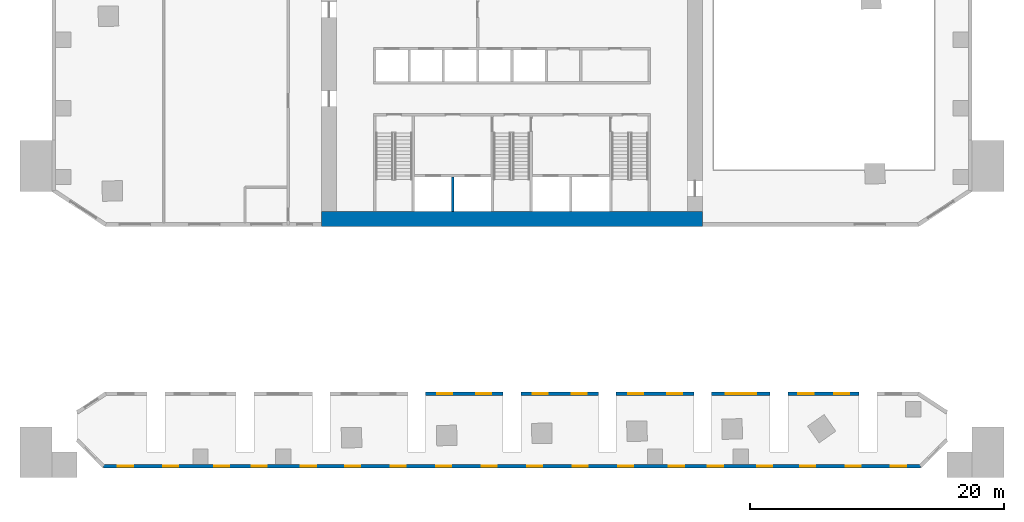
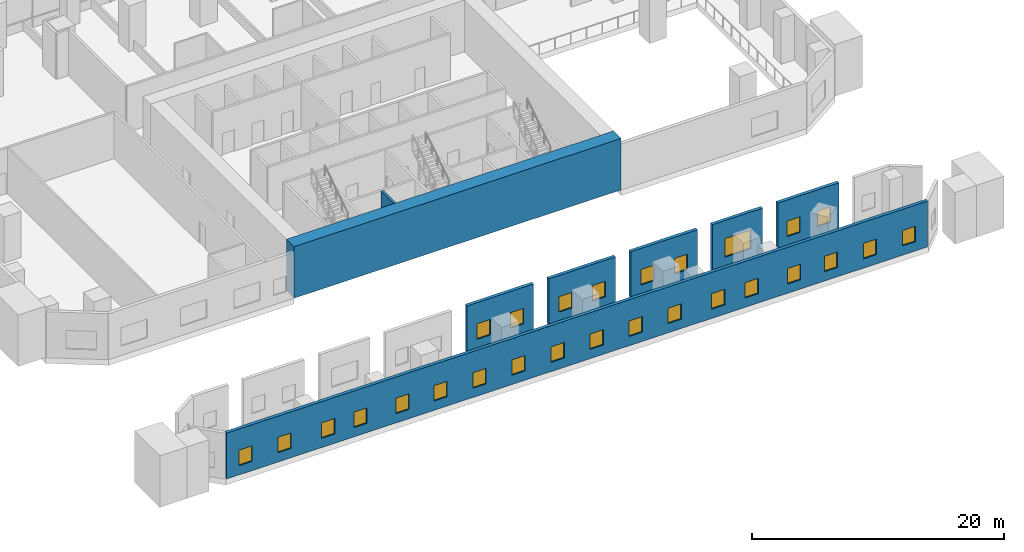
# One storey, part 6 of 11: 27 windows, 8 walls, 27 openings.
"""IFC4 building model written with IfcOpenShell, lengths in metres."""

from ifc_helpers import new_model, si_unit, direction, frame, frame_2d, origin, place, context, subcontext, project, spatial, rectangle, extrude, material, layer, layer_set, type_object, element, fill, save


model = new_model("IFC4")

# Units and contexts
model_context = context("Model", 3, precision=1e-05, world=origin(), true_north=direction((0.0, 1.0)))
body_context = subcontext(model_context, "Body", "Model", "MODEL_VIEW")
ifc_project = project(units=[si_unit("LENGTHUNIT", "METRE"), si_unit("AREAUNIT", "SQUARE_METRE"), si_unit("VOLUMEUNIT", "CUBIC_METRE"), si_unit("PLANEANGLEUNIT", "RADIAN"), si_unit("MASSUNIT", "GRAM", prefix="KILO")], contexts=[model_context])

# Site, building, storey
site_placement = place(None, origin())
site = spatial("IfcSite", under=ifc_project, at=site_placement, CompositionType="ELEMENT")
building_placement = place(site_placement, origin())
building = spatial("IfcBuilding", under=site, at=building_placement, Name="Mangrove Gate Tower", CompositionType="ELEMENT")
storey_placement = place(building_placement, frame((0.0, 0.0, 6.0)))
storey = spatial("IfcBuildingStorey", under=building, at=storey_placement, Name="L01", CompositionType="ELEMENT", Elevation=6.0)

# Walls
ifc_material_1 = material(Name="Concrete C70/85", Category="concrete")
ifc_layer_1 = layer(ifc_material_1, 0.199951171875)
ifc_layer_set_1 = layer_set([ifc_layer_1], Name="Core shaft wall 200 C70/85")
wall_type_1 = type_object("IfcWallType", Name="Core shaft wall 200 C70/85", PredefinedType="SHEAR", material=ifc_layer_set_1)
wall_1_placement = place(storey_placement, frame((-4.64990234375, -10.800048828125, 0.0), z_axis=(0.0, 0.0, 1.0), x_axis=(0.0, 1.0, 0.0)))
element("IfcWall", 1, at=wall_1_placement, inside=storey, type_object=wall_type_1, Name="WALL-L01-CORE-16", PredefinedType="SHEAR", context=body_context, shape_type="SweptSolid", body=[
    extrude(rectangle(XDim=2.699951171875, YDim=0.199951171875, at=frame_2d((1.35009765625, 0.0))), origin(), (0.0, 0.0, 1.0), 4.449951171875),
])
ifc_material_2 = material(Name="Concrete C70/85", Category="concrete")
ifc_layer_2 = layer(ifc_material_2, 1.199951171875)
ifc_layer_set_2 = layer_set([ifc_layer_2], Name="Core wall 1200 C70/85")
wall_type_2 = type_object("IfcWallType", Name="Core wall 1200 C70/85", PredefinedType="SHEAR", material=ifc_layer_set_2)
wall_2_placement = place(storey_placement, frame((-15.0, -11.39990234375, 0.0), z_axis=(0.0, 0.0, 1.0), x_axis=(1.0, 0.0, 0.0)))
element("IfcWall", 2, at=wall_2_placement, inside=storey, type_object=wall_type_2, Name="WALL-L01-CORE-1", PredefinedType="SHEAR", context=body_context, shape_type="SweptSolid", body=[
    extrude(rectangle(XDim=30.0, YDim=1.199951171875, at=frame_2d((15.0, 0.0))), origin(), (0.0, 0.0, 1.0), 5.0),
])

# Wall, openings, windows
ifc_material_3 = material(Name="Limestone", Category="masonry")
ifc_layer_3 = layer(ifc_material_3, 0.0400390625, Name="Limestone cladding")
ifc_material_4 = material(Name="Ventilated air gap")
ifc_layer_4 = layer(ifc_material_4, 0.0400390625, Name="Ventilated cavity")
ifc_material_5 = material(Name="Mineral wool insulation")
ifc_layer_5 = layer(ifc_material_5, 0.06005859375, Name="Insulation")
ifc_material_6 = material(Name="Breather membrane")
ifc_layer_6 = layer(ifc_material_6, 0.001953125, Name="Breather membrane")
ifc_material_7 = material(Name="Concrete C20/25 blockwork", Category="masonry")
ifc_layer_7 = layer(ifc_material_7, 0.14990234375, Name="Blockwork backing wall")
ifc_material_8 = material(Name="Gypsum plaster")
ifc_layer_8 = layer(ifc_material_8, 0.008056640625, Name="Internal plaster")
ifc_layer_set_3 = layer_set([ifc_layer_3, ifc_layer_4, ifc_layer_5, ifc_layer_6, ifc_layer_7, ifc_layer_8], Name="External wall 300 limestone cladding")
wall_type_3 = type_object("IfcWallType", Name="External wall 300 limestone cladding", PredefinedType="SOLIDWALL", material=ifc_layer_set_3)
wall_3_placement = place(storey_placement, frame((27.300048828125, -25.14990234375, 0.0), z_axis=(0.0, 0.0, 1.0), x_axis=(-1.0, 0.0, 0.0)))
wall_3 = element("IfcWall", 3, at=wall_3_placement, inside=storey, type_object=wall_type_3, Name="WALL-L01-N4011", PredefinedType="SOLIDWALL", context=body_context, shape_type="SweptSolid", body=[
    extrude(rectangle(XDim=5.60009765625, YDim=0.300048828125, at=frame_2d((2.800048828125, 0.0))), origin(), (0.0, 0.0, 1.0), 4.449951171875),
])
opening_1_placement = place(wall_3_placement, frame((0.763916015625, 0.0, 0.89990234375)))
opening_1 = element("IfcOpeningElement", 4, at=opening_1_placement, cuts=wall_3, Name="Opening W1", PredefinedType="OPENING", context=body_context, shape_type="SweptSolid", body=[
    extrude(rectangle(XDim=1.199951171875, YDim=1.5, at=frame_2d((0.60009765625, 0.75))), frame((0.0, 0.159912109375, 0.0), z_axis=(0.0, -1.0, 0.0), x_axis=(1.0, 0.0, 0.0)), (0.0, 0.0, 1.0), 0.320068359375),
])
opening_2_placement = place(wall_3_placement, frame((3.568115234375, 0.0, 0.89990234375)))
opening_2 = element("IfcOpeningElement", 5, at=opening_2_placement, cuts=wall_3, Name="Opening W1", PredefinedType="OPENING", context=body_context, shape_type="SweptSolid", body=[
    extrude(rectangle(XDim=1.199951171875, YDim=1.5, at=frame_2d((0.60009765625, 0.75))), frame((0.0, 0.159912109375, 0.0), z_axis=(0.0, -1.0, 0.0), x_axis=(1.0, 0.0, 0.0)), (0.0, 0.0, 1.0), 0.320068359375),
])
ifc_material_9 = material(Name="Aluminium frame with double-glazed low-e glass", Category="aluminium")
window_type_1 = type_object("IfcWindowType", Name="Side lite 1200x1500", PartitioningType="SINGLE_PANEL", PredefinedType="WINDOW", material=ifc_material_9)
window_1_placement = place(opening_1_placement, origin())
window_1 = element("IfcWindow", 6, at=window_1_placement, inside=storey, type_object=window_type_1, Name="WIN-L01-N4011-1", OverallHeight=1.5, OverallWidth=1.199951171875, PartitioningType="SINGLE_PANEL", PredefinedType="WINDOW", context=body_context, shape_type="SweptSolid", body=[
    extrude(rectangle(XDim=1.199951171875, YDim=1.5, at=frame_2d((0.60009765625, 0.75))), frame((0.0, 0.030029296875, 0.0), z_axis=(0.0, -1.0, 0.0), x_axis=(1.0, 0.0, 0.0)), (0.0, 0.0, 1.0), 0.06005859375),
])
fill(opening_1, window_1)
window_2_placement = place(opening_2_placement, origin())
window_2 = element("IfcWindow", 7, at=window_2_placement, inside=storey, type_object=window_type_1, Name="WIN-L01-N4011-2", OverallHeight=1.5, OverallWidth=1.199951171875, PartitioningType="SINGLE_PANEL", PredefinedType="WINDOW", context=body_context, shape_type="SweptSolid", body=[
    extrude(rectangle(XDim=1.199951171875, YDim=1.5, at=frame_2d((0.60009765625, 0.75))), frame((0.0, 0.030029296875, 0.0), z_axis=(0.0, -1.0, 0.0), x_axis=(1.0, 0.0, 0.0)), (0.0, 0.0, 1.0), 0.06005859375),
])
fill(opening_2, window_2)

# Wall, opening, window
wall_4_placement = place(storey_placement, frame((20.300048828125, -25.14990234375, 0.0), z_axis=(0.0, 0.0, 1.0), x_axis=(-1.0, 0.0, 0.0)))
wall_4 = element("IfcWall", 8, at=wall_4_placement, inside=storey, type_object=wall_type_3, Name="WALL-L01-N4012", PredefinedType="SOLIDWALL", context=body_context, shape_type="SweptSolid", body=[
    extrude(rectangle(XDim=4.60009765625, YDim=0.300048828125, at=frame_2d((2.300048828125, 0.0))), origin(), (0.0, 0.0, 1.0), 4.449951171875),
])
opening_3_placement = place(wall_4_placement, frame((1.074951171875, 0.0, 0.89990234375)))
opening_3 = element("IfcOpeningElement", 9, at=opening_3_placement, cuts=wall_4, Name="Opening W3", PredefinedType="OPENING", context=body_context, shape_type="SweptSolid", body=[
    extrude(rectangle(XDim=2.39990234375, YDim=1.800048828125, at=frame_2d((1.199951171875, 0.89990234375))), frame((0.0, 0.159912109375, 0.0), z_axis=(0.0, -1.0, 0.0), x_axis=(1.0, 0.0, 0.0)), (0.0, 0.0, 1.0), 0.320068359375),
])
ifc_material_10 = material(Name="Aluminium frame with double-glazed low-e glass", Category="aluminium")
window_type_2 = type_object("IfcWindowType", Name="Podium window 2400x1800", PartitioningType="DOUBLE_PANEL_VERTICAL", PredefinedType="WINDOW", material=ifc_material_10)
window_3_placement = place(opening_3_placement, origin())
window_3 = element("IfcWindow", 10, at=window_3_placement, inside=storey, type_object=window_type_2, Name="WIN-L01-N4012-1", OverallHeight=1.800048828125, OverallWidth=2.39990234375, PartitioningType="DOUBLE_PANEL_VERTICAL", PredefinedType="WINDOW", context=body_context, shape_type="SweptSolid", body=[
    extrude(rectangle(XDim=2.39990234375, YDim=1.800048828125, at=frame_2d((1.199951171875, 0.89990234375))), frame((0.0, 0.030029296875, 0.0), z_axis=(0.0, -1.0, 0.0), x_axis=(1.0, 0.0, 0.0)), (0.0, 0.0, 1.0), 0.06005859375),
])
fill(opening_3, window_3)

# Wall, openings, windows
wall_5_placement = place(storey_placement, frame((14.300048828125, -25.14990234375, 0.0), z_axis=(0.0, 0.0, 1.0), x_axis=(-1.0, 0.0, 0.0)))
wall_5 = element("IfcWall", 11, at=wall_5_placement, inside=storey, type_object=wall_type_3, Name="WALL-L01-N4013", PredefinedType="SOLIDWALL", context=body_context, shape_type="SweptSolid", body=[
    extrude(rectangle(XDim=6.10009765625, YDim=0.300048828125, at=frame_2d((3.050048828125, 0.0))), origin(), (0.0, 0.0, 1.0), 4.449951171875),
])
opening_4_placement = place(wall_5_placement, frame((0.906982421875, 0.0, 0.89990234375)))
opening_4 = element("IfcOpeningElement", 12, at=opening_4_placement, cuts=wall_5, Name="Opening W1", PredefinedType="OPENING", context=body_context, shape_type="SweptSolid", body=[
    extrude(rectangle(XDim=1.199951171875, YDim=1.5, at=frame_2d((0.60009765625, 0.75))), frame((0.0, 0.159912109375, 0.0), z_axis=(0.0, -1.0, 0.0), x_axis=(1.0, 0.0, 0.0)), (0.0, 0.0, 1.0), 0.320068359375),
])
opening_5_placement = place(wall_5_placement, frame((3.9609375, 0.0, 0.89990234375)))
opening_5 = element("IfcOpeningElement", 13, at=opening_5_placement, cuts=wall_5, Name="Opening W1", PredefinedType="OPENING", context=body_context, shape_type="SweptSolid", body=[
    extrude(rectangle(XDim=1.199951171875, YDim=1.5, at=frame_2d((0.60009765625, 0.75))), frame((0.0, 0.159912109375, 0.0), z_axis=(0.0, -1.0, 0.0), x_axis=(1.0, 0.0, 0.0)), (0.0, 0.0, 1.0), 0.320068359375),
])
window_4_placement = place(opening_4_placement, origin())
window_4 = element("IfcWindow", 14, at=window_4_placement, inside=storey, type_object=window_type_1, Name="WIN-L01-N4013-1", OverallHeight=1.5, OverallWidth=1.199951171875, PartitioningType="SINGLE_PANEL", PredefinedType="WINDOW", context=body_context, shape_type="SweptSolid", body=[
    extrude(rectangle(XDim=1.199951171875, YDim=1.5, at=frame_2d((0.60009765625, 0.75))), frame((0.0, 0.030029296875, 0.0), z_axis=(0.0, -1.0, 0.0), x_axis=(1.0, 0.0, 0.0)), (0.0, 0.0, 1.0), 0.06005859375),
])
fill(opening_4, window_4)
window_5_placement = place(opening_5_placement, origin())
window_5 = element("IfcWindow", 15, at=window_5_placement, inside=storey, type_object=window_type_1, Name="WIN-L01-N4013-2", OverallHeight=1.5, OverallWidth=1.199951171875, PartitioningType="SINGLE_PANEL", PredefinedType="WINDOW", context=body_context, shape_type="SweptSolid", body=[
    extrude(rectangle(XDim=1.199951171875, YDim=1.5, at=frame_2d((0.60009765625, 0.75))), frame((0.0, 0.030029296875, 0.0), z_axis=(0.0, -1.0, 0.0), x_axis=(1.0, 0.0, 0.0)), (0.0, 0.0, 1.0), 0.06005859375),
])
fill(opening_5, window_5)

wall_6_placement = place(storey_placement, frame((6.800048828125, -25.14990234375, 0.0), z_axis=(0.0, 0.0, 1.0), x_axis=(-1.0, 0.0, 0.0)))
wall_6 = element("IfcWall", 16, at=wall_6_placement, inside=storey, type_object=wall_type_3, Name="WALL-L01-N4014", PredefinedType="SOLIDWALL", context=body_context, shape_type="SweptSolid", body=[
    extrude(rectangle(XDim=6.10009765625, YDim=0.300048828125, at=frame_2d((3.050048828125, 0.0))), origin(), (0.0, 0.0, 1.0), 4.449951171875),
])
opening_6_placement = place(wall_6_placement, frame((0.91796875, 0.0, 0.89990234375)))
opening_6 = element("IfcOpeningElement", 17, at=opening_6_placement, cuts=wall_6, Name="Opening W1", PredefinedType="OPENING", context=body_context, shape_type="SweptSolid", body=[
    extrude(rectangle(XDim=1.199951171875, YDim=1.5, at=frame_2d((0.60009765625, 0.75))), frame((0.0, 0.159912109375, 0.0), z_axis=(0.0, -1.0, 0.0), x_axis=(1.0, 0.0, 0.0)), (0.0, 0.0, 1.0), 0.320068359375),
])
opening_7_placement = place(wall_6_placement, frame((3.971923828125, 0.0, 0.89990234375)))
opening_7 = element("IfcOpeningElement", 18, at=opening_7_placement, cuts=wall_6, Name="Opening W1", PredefinedType="OPENING", context=body_context, shape_type="SweptSolid", body=[
    extrude(rectangle(XDim=1.199951171875, YDim=1.5, at=frame_2d((0.60009765625, 0.75))), frame((0.0, 0.159912109375, 0.0), z_axis=(0.0, -1.0, 0.0), x_axis=(1.0, 0.0, 0.0)), (0.0, 0.0, 1.0), 0.320068359375),
])
window_6_placement = place(opening_6_placement, origin())
window_6 = element("IfcWindow", 19, at=window_6_placement, inside=storey, type_object=window_type_1, Name="WIN-L01-N4014-1", OverallHeight=1.5, OverallWidth=1.199951171875, PartitioningType="SINGLE_PANEL", PredefinedType="WINDOW", context=body_context, shape_type="SweptSolid", body=[
    extrude(rectangle(XDim=1.199951171875, YDim=1.5, at=frame_2d((0.60009765625, 0.75))), frame((0.0, 0.030029296875, 0.0), z_axis=(0.0, -1.0, 0.0), x_axis=(1.0, 0.0, 0.0)), (0.0, 0.0, 1.0), 0.06005859375),
])
fill(opening_6, window_6)
window_7_placement = place(opening_7_placement, origin())
window_7 = element("IfcWindow", 20, at=window_7_placement, inside=storey, type_object=window_type_1, Name="WIN-L01-N4014-2", OverallHeight=1.5, OverallWidth=1.199951171875, PartitioningType="SINGLE_PANEL", PredefinedType="WINDOW", context=body_context, shape_type="SweptSolid", body=[
    extrude(rectangle(XDim=1.199951171875, YDim=1.5, at=frame_2d((0.60009765625, 0.75))), frame((0.0, 0.030029296875, 0.0), z_axis=(0.0, -1.0, 0.0), x_axis=(1.0, 0.0, 0.0)), (0.0, 0.0, 1.0), 0.06005859375),
])
fill(opening_7, window_7)

wall_7_placement = place(storey_placement, frame((-0.699951171875, -25.14990234375, 0.0), z_axis=(0.0, 0.0, 1.0), x_axis=(-1.0, 0.0, 0.0)))
wall_7 = element("IfcWall", 21, at=wall_7_placement, inside=storey, type_object=wall_type_3, Name="WALL-L01-N4015", PredefinedType="SOLIDWALL", context=body_context, shape_type="SweptSolid", body=[
    extrude(rectangle(XDim=6.10009765625, YDim=0.300048828125, at=frame_2d((3.050048828125, 0.0))), origin(), (0.0, 0.0, 1.0), 4.449951171875),
])
opening_8_placement = place(wall_7_placement, frame((0.927978515625, 0.0, 0.89990234375)))
opening_8 = element("IfcOpeningElement", 22, at=opening_8_placement, cuts=wall_7, Name="Opening W1", PredefinedType="OPENING", context=body_context, shape_type="SweptSolid", body=[
    extrude(rectangle(XDim=1.199951171875, YDim=1.5, at=frame_2d((0.60009765625, 0.75))), frame((0.0, 0.159912109375, 0.0), z_axis=(0.0, -1.0, 0.0), x_axis=(1.0, 0.0, 0.0)), (0.0, 0.0, 1.0), 0.320068359375),
])
opening_9_placement = place(wall_7_placement, frame((3.98193359375, 0.0, 0.89990234375)))
opening_9 = element("IfcOpeningElement", 23, at=opening_9_placement, cuts=wall_7, Name="Opening W1", PredefinedType="OPENING", context=body_context, shape_type="SweptSolid", body=[
    extrude(rectangle(XDim=1.199951171875, YDim=1.5, at=frame_2d((0.60009765625, 0.75))), frame((0.0, 0.159912109375, 0.0), z_axis=(0.0, -1.0, 0.0), x_axis=(1.0, 0.0, 0.0)), (0.0, 0.0, 1.0), 0.320068359375),
])
window_8_placement = place(opening_8_placement, origin())
window_8 = element("IfcWindow", 24, at=window_8_placement, inside=storey, type_object=window_type_1, Name="WIN-L01-N4015-1", OverallHeight=1.5, OverallWidth=1.199951171875, PartitioningType="SINGLE_PANEL", PredefinedType="WINDOW", context=body_context, shape_type="SweptSolid", body=[
    extrude(rectangle(XDim=1.199951171875, YDim=1.5, at=frame_2d((0.60009765625, 0.75))), frame((0.0, 0.030029296875, 0.0), z_axis=(0.0, -1.0, 0.0), x_axis=(1.0, 0.0, 0.0)), (0.0, 0.0, 1.0), 0.06005859375),
])
fill(opening_8, window_8)
window_9_placement = place(opening_9_placement, origin())
window_9 = element("IfcWindow", 25, at=window_9_placement, inside=storey, type_object=window_type_1, Name="WIN-L01-N4015-2", OverallHeight=1.5, OverallWidth=1.199951171875, PartitioningType="SINGLE_PANEL", PredefinedType="WINDOW", context=body_context, shape_type="SweptSolid", body=[
    extrude(rectangle(XDim=1.199951171875, YDim=1.5, at=frame_2d((0.60009765625, 0.75))), frame((0.0, 0.030029296875, 0.0), z_axis=(0.0, -1.0, 0.0), x_axis=(1.0, 0.0, 0.0)), (0.0, 0.0, 1.0), 0.06005859375),
])
fill(opening_9, window_9)

wall_8_placement = place(storey_placement, frame((-32.137939453125, -30.85009765625, 0.0), z_axis=(0.0, 0.0, 1.0), x_axis=(1.0, 0.0, 0.0)))
wall_8 = element("IfcWall", 26, at=wall_8_placement, inside=storey, type_object=wall_type_3, Name="WALL-L01-S4", PredefinedType="SOLIDWALL", context=body_context, shape_type="SweptSolid", body=[
    extrude(rectangle(XDim=64.27587890625, YDim=0.300048828125, at=frame_2d((32.137939453125, 0.0))), origin(), (0.0, 0.0, 1.0), 4.449951171875),
])
opening_10_placement = place(wall_8_placement, frame((1.126953125, 0.0, 0.89990234375)))
opening_10 = element("IfcOpeningElement", 27, at=opening_10_placement, cuts=wall_8, Name="Opening W1", PredefinedType="OPENING", context=body_context, shape_type="SweptSolid", body=[
    extrude(rectangle(XDim=1.199951171875, YDim=1.5, at=frame_2d((0.60009765625, 0.75))), frame((0.0, 0.159912109375, 0.0), z_axis=(0.0, -1.0, 0.0), x_axis=(1.0, 0.0, 0.0)), (0.0, 0.0, 1.0), 0.320068359375),
])
opening_11_placement = place(wall_8_placement, frame((4.705078125, 0.0, 0.89990234375)))
opening_11 = element("IfcOpeningElement", 28, at=opening_11_placement, cuts=wall_8, Name="Opening W1", PredefinedType="OPENING", context=body_context, shape_type="SweptSolid", body=[
    extrude(rectangle(XDim=1.199951171875, YDim=1.5, at=frame_2d((0.60009765625, 0.75))), frame((0.0, 0.159912109375, 0.0), z_axis=(0.0, -1.0, 0.0), x_axis=(1.0, 0.0, 0.0)), (0.0, 0.0, 1.0), 0.320068359375),
])
opening_12_placement = place(wall_8_placement, frame((8.705078125, 0.0, 0.89990234375)))
opening_12 = element("IfcOpeningElement", 29, at=opening_12_placement, cuts=wall_8, Name="Opening W1", PredefinedType="OPENING", context=body_context, shape_type="SweptSolid", body=[
    extrude(rectangle(XDim=1.199951171875, YDim=1.5, at=frame_2d((0.60009765625, 0.75))), frame((0.0, 0.159912109375, 0.0), z_axis=(0.0, -1.0, 0.0), x_axis=(1.0, 0.0, 0.0)), (0.0, 0.0, 1.0), 0.320068359375),
])
opening_13_placement = place(wall_8_placement, frame((11.655029296875, 0.0, 0.89990234375)))
opening_13 = element("IfcOpeningElement", 30, at=opening_13_placement, cuts=wall_8, Name="Opening W1", PredefinedType="OPENING", context=body_context, shape_type="SweptSolid", body=[
    extrude(rectangle(XDim=1.199951171875, YDim=1.5, at=frame_2d((0.60009765625, 0.75))), frame((0.0, 0.159912109375, 0.0), z_axis=(0.0, -1.0, 0.0), x_axis=(1.0, 0.0, 0.0)), (0.0, 0.0, 1.0), 0.320068359375),
])
opening_14_placement = place(wall_8_placement, frame((15.531982421875, 0.0, 0.89990234375)))
opening_14 = element("IfcOpeningElement", 31, at=opening_14_placement, cuts=wall_8, Name="Opening W1", PredefinedType="OPENING", context=body_context, shape_type="SweptSolid", body=[
    extrude(rectangle(XDim=1.199951171875, YDim=1.5, at=frame_2d((0.60009765625, 0.75))), frame((0.0, 0.159912109375, 0.0), z_axis=(0.0, -1.0, 0.0), x_axis=(1.0, 0.0, 0.0)), (0.0, 0.0, 1.0), 0.320068359375),
])
opening_15_placement = place(wall_8_placement, frame((19.01611328125, 0.0, 0.89990234375)))
opening_15 = element("IfcOpeningElement", 32, at=opening_15_placement, cuts=wall_8, Name="Opening W1", PredefinedType="OPENING", context=body_context, shape_type="SweptSolid", body=[
    extrude(rectangle(XDim=1.199951171875, YDim=1.5, at=frame_2d((0.60009765625, 0.75))), frame((0.0, 0.159912109375, 0.0), z_axis=(0.0, -1.0, 0.0), x_axis=(1.0, 0.0, 0.0)), (0.0, 0.0, 1.0), 0.320068359375),
])
opening_16_placement = place(wall_8_placement, frame((22.593017578125, 0.0, 0.89990234375)))
opening_16 = element("IfcOpeningElement", 33, at=opening_16_placement, cuts=wall_8, Name="Opening W1", PredefinedType="OPENING", context=body_context, shape_type="SweptSolid", body=[
    extrude(rectangle(XDim=1.199951171875, YDim=1.5, at=frame_2d((0.60009765625, 0.75))), frame((0.0, 0.159912109375, 0.0), z_axis=(0.0, -1.0, 0.0), x_axis=(1.0, 0.0, 0.0)), (0.0, 0.0, 1.0), 0.320068359375),
])
opening_17_placement = place(wall_8_placement, frame((26.1708984375, 0.0, 0.89990234375)))
opening_17 = element("IfcOpeningElement", 34, at=opening_17_placement, cuts=wall_8, Name="Opening W1", PredefinedType="OPENING", context=body_context, shape_type="SweptSolid", body=[
    extrude(rectangle(XDim=1.199951171875, YDim=1.5, at=frame_2d((0.60009765625, 0.75))), frame((0.0, 0.159912109375, 0.0), z_axis=(0.0, -1.0, 0.0), x_axis=(1.0, 0.0, 0.0)), (0.0, 0.0, 1.0), 0.320068359375),
])
opening_18_placement = place(wall_8_placement, frame((29.7490234375, 0.0, 0.89990234375)))
opening_18 = element("IfcOpeningElement", 35, at=opening_18_placement, cuts=wall_8, Name="Opening W1", PredefinedType="OPENING", context=body_context, shape_type="SweptSolid", body=[
    extrude(rectangle(XDim=1.199951171875, YDim=1.5, at=frame_2d((0.60009765625, 0.75))), frame((0.0, 0.159912109375, 0.0), z_axis=(0.0, -1.0, 0.0), x_axis=(1.0, 0.0, 0.0)), (0.0, 0.0, 1.0), 0.320068359375),
])
opening_19_placement = place(wall_8_placement, frame((33.326904296875, 0.0, 0.89990234375)))
opening_19 = element("IfcOpeningElement", 36, at=opening_19_placement, cuts=wall_8, Name="Opening W1", PredefinedType="OPENING", context=body_context, shape_type="SweptSolid", body=[
    extrude(rectangle(XDim=1.199951171875, YDim=1.5, at=frame_2d((0.60009765625, 0.75))), frame((0.0, 0.159912109375, 0.0), z_axis=(0.0, -1.0, 0.0), x_axis=(1.0, 0.0, 0.0)), (0.0, 0.0, 1.0), 0.320068359375),
])
opening_20_placement = place(wall_8_placement, frame((36.905029296875, 0.0, 0.89990234375)))
opening_20 = element("IfcOpeningElement", 37, at=opening_20_placement, cuts=wall_8, Name="Opening W1", PredefinedType="OPENING", context=body_context, shape_type="SweptSolid", body=[
    extrude(rectangle(XDim=1.199951171875, YDim=1.5, at=frame_2d((0.60009765625, 0.75))), frame((0.0, 0.159912109375, 0.0), z_axis=(0.0, -1.0, 0.0), x_axis=(1.0, 0.0, 0.0)), (0.0, 0.0, 1.0), 0.320068359375),
])
opening_21_placement = place(wall_8_placement, frame((40.48193359375, 0.0, 0.89990234375)))
opening_21 = element("IfcOpeningElement", 38, at=opening_21_placement, cuts=wall_8, Name="Opening W1", PredefinedType="OPENING", context=body_context, shape_type="SweptSolid", body=[
    extrude(rectangle(XDim=1.199951171875, YDim=1.5, at=frame_2d((0.60009765625, 0.75))), frame((0.0, 0.159912109375, 0.0), z_axis=(0.0, -1.0, 0.0), x_axis=(1.0, 0.0, 0.0)), (0.0, 0.0, 1.0), 0.320068359375),
])
opening_22_placement = place(wall_8_placement, frame((44.468017578125, 0.0, 0.89990234375)))
opening_22 = element("IfcOpeningElement", 39, at=opening_22_placement, cuts=wall_8, Name="Opening W1", PredefinedType="OPENING", context=body_context, shape_type="SweptSolid", body=[
    extrude(rectangle(XDim=1.199951171875, YDim=1.5, at=frame_2d((0.60009765625, 0.75))), frame((0.0, 0.159912109375, 0.0), z_axis=(0.0, -1.0, 0.0), x_axis=(1.0, 0.0, 0.0)), (0.0, 0.0, 1.0), 0.320068359375),
])
opening_23_placement = place(wall_8_placement, frame((47.54296875, 0.0, 0.89990234375)))
opening_23 = element("IfcOpeningElement", 40, at=opening_23_placement, cuts=wall_8, Name="Opening W1", PredefinedType="OPENING", context=body_context, shape_type="SweptSolid", body=[
    extrude(rectangle(XDim=1.199951171875, YDim=1.5, at=frame_2d((0.60009765625, 0.75))), frame((0.0, 0.159912109375, 0.0), z_axis=(0.0, -1.0, 0.0), x_axis=(1.0, 0.0, 0.0)), (0.0, 0.0, 1.0), 0.320068359375),
])
opening_24_placement = place(wall_8_placement, frame((51.4208984375, 0.0, 0.89990234375)))
opening_24 = element("IfcOpeningElement", 41, at=opening_24_placement, cuts=wall_8, Name="Opening W1", PredefinedType="OPENING", context=body_context, shape_type="SweptSolid", body=[
    extrude(rectangle(XDim=1.199951171875, YDim=1.5, at=frame_2d((0.60009765625, 0.75))), frame((0.0, 0.159912109375, 0.0), z_axis=(0.0, -1.0, 0.0), x_axis=(1.0, 0.0, 0.0)), (0.0, 0.0, 1.0), 0.320068359375),
])
opening_25_placement = place(wall_8_placement, frame((54.79296875, 0.0, 0.89990234375)))
opening_25 = element("IfcOpeningElement", 42, at=opening_25_placement, cuts=wall_8, Name="Opening W1", PredefinedType="OPENING", context=body_context, shape_type="SweptSolid", body=[
    extrude(rectangle(XDim=1.199951171875, YDim=1.5, at=frame_2d((0.60009765625, 0.75))), frame((0.0, 0.159912109375, 0.0), z_axis=(0.0, -1.0, 0.0), x_axis=(1.0, 0.0, 0.0)), (0.0, 0.0, 1.0), 0.320068359375),
])
opening_26_placement = place(wall_8_placement, frame((58.37109375, 0.0, 0.89990234375)))
opening_26 = element("IfcOpeningElement", 43, at=opening_26_placement, cuts=wall_8, Name="Opening W1", PredefinedType="OPENING", context=body_context, shape_type="SweptSolid", body=[
    extrude(rectangle(XDim=1.199951171875, YDim=1.5, at=frame_2d((0.60009765625, 0.75))), frame((0.0, 0.159912109375, 0.0), z_axis=(0.0, -1.0, 0.0), x_axis=(1.0, 0.0, 0.0)), (0.0, 0.0, 1.0), 0.320068359375),
])
opening_27_placement = place(wall_8_placement, frame((61.948974609375, 0.0, 0.89990234375)))
opening_27 = element("IfcOpeningElement", 44, at=opening_27_placement, cuts=wall_8, Name="Opening W1", PredefinedType="OPENING", context=body_context, shape_type="SweptSolid", body=[
    extrude(rectangle(XDim=1.199951171875, YDim=1.5, at=frame_2d((0.60009765625, 0.75))), frame((0.0, 0.159912109375, 0.0), z_axis=(0.0, -1.0, 0.0), x_axis=(1.0, 0.0, 0.0)), (0.0, 0.0, 1.0), 0.320068359375),
])
window_10_placement = place(opening_10_placement, origin())
window_10 = element("IfcWindow", 45, at=window_10_placement, inside=storey, type_object=window_type_1, Name="WIN-L01-S4-1", OverallHeight=1.5, OverallWidth=1.199951171875, PartitioningType="SINGLE_PANEL", PredefinedType="WINDOW", context=body_context, shape_type="SweptSolid", body=[
    extrude(rectangle(XDim=1.199951171875, YDim=1.5, at=frame_2d((0.60009765625, 0.75))), frame((0.0, 0.030029296875, 0.0), z_axis=(0.0, -1.0, 0.0), x_axis=(1.0, 0.0, 0.0)), (0.0, 0.0, 1.0), 0.06005859375),
])
fill(opening_10, window_10)
window_11_placement = place(opening_11_placement, origin())
window_11 = element("IfcWindow", 46, at=window_11_placement, inside=storey, type_object=window_type_1, Name="WIN-L01-S4-2", OverallHeight=1.5, OverallWidth=1.199951171875, PartitioningType="SINGLE_PANEL", PredefinedType="WINDOW", context=body_context, shape_type="SweptSolid", body=[
    extrude(rectangle(XDim=1.199951171875, YDim=1.5, at=frame_2d((0.60009765625, 0.75))), frame((0.0, 0.030029296875, 0.0), z_axis=(0.0, -1.0, 0.0), x_axis=(1.0, 0.0, 0.0)), (0.0, 0.0, 1.0), 0.06005859375),
])
fill(opening_11, window_11)
window_12_placement = place(opening_12_placement, origin())
window_12 = element("IfcWindow", 47, at=window_12_placement, inside=storey, type_object=window_type_1, Name="WIN-L01-S4-3", OverallHeight=1.5, OverallWidth=1.199951171875, PartitioningType="SINGLE_PANEL", PredefinedType="WINDOW", context=body_context, shape_type="SweptSolid", body=[
    extrude(rectangle(XDim=1.199951171875, YDim=1.5, at=frame_2d((0.60009765625, 0.75))), frame((0.0, 0.030029296875, 0.0), z_axis=(0.0, -1.0, 0.0), x_axis=(1.0, 0.0, 0.0)), (0.0, 0.0, 1.0), 0.06005859375),
])
fill(opening_12, window_12)
window_13_placement = place(opening_13_placement, origin())
window_13 = element("IfcWindow", 48, at=window_13_placement, inside=storey, type_object=window_type_1, Name="WIN-L01-S4-4", OverallHeight=1.5, OverallWidth=1.199951171875, PartitioningType="SINGLE_PANEL", PredefinedType="WINDOW", context=body_context, shape_type="SweptSolid", body=[
    extrude(rectangle(XDim=1.199951171875, YDim=1.5, at=frame_2d((0.60009765625, 0.75))), frame((0.0, 0.030029296875, 0.0), z_axis=(0.0, -1.0, 0.0), x_axis=(1.0, 0.0, 0.0)), (0.0, 0.0, 1.0), 0.06005859375),
])
fill(opening_13, window_13)
window_14_placement = place(opening_14_placement, origin())
window_14 = element("IfcWindow", 49, at=window_14_placement, inside=storey, type_object=window_type_1, Name="WIN-L01-S4-5", OverallHeight=1.5, OverallWidth=1.199951171875, PartitioningType="SINGLE_PANEL", PredefinedType="WINDOW", context=body_context, shape_type="SweptSolid", body=[
    extrude(rectangle(XDim=1.199951171875, YDim=1.5, at=frame_2d((0.60009765625, 0.75))), frame((0.0, 0.030029296875, 0.0), z_axis=(0.0, -1.0, 0.0), x_axis=(1.0, 0.0, 0.0)), (0.0, 0.0, 1.0), 0.06005859375),
])
fill(opening_14, window_14)
window_15_placement = place(opening_15_placement, origin())
window_15 = element("IfcWindow", 50, at=window_15_placement, inside=storey, type_object=window_type_1, Name="WIN-L01-S4-6", OverallHeight=1.5, OverallWidth=1.199951171875, PartitioningType="SINGLE_PANEL", PredefinedType="WINDOW", context=body_context, shape_type="SweptSolid", body=[
    extrude(rectangle(XDim=1.199951171875, YDim=1.5, at=frame_2d((0.60009765625, 0.75))), frame((0.0, 0.030029296875, 0.0), z_axis=(0.0, -1.0, 0.0), x_axis=(1.0, 0.0, 0.0)), (0.0, 0.0, 1.0), 0.06005859375),
])
fill(opening_15, window_15)
window_16_placement = place(opening_16_placement, origin())
window_16 = element("IfcWindow", 51, at=window_16_placement, inside=storey, type_object=window_type_1, Name="WIN-L01-S4-7", OverallHeight=1.5, OverallWidth=1.199951171875, PartitioningType="SINGLE_PANEL", PredefinedType="WINDOW", context=body_context, shape_type="SweptSolid", body=[
    extrude(rectangle(XDim=1.199951171875, YDim=1.5, at=frame_2d((0.60009765625, 0.75))), frame((0.0, 0.030029296875, 0.0), z_axis=(0.0, -1.0, 0.0), x_axis=(1.0, 0.0, 0.0)), (0.0, 0.0, 1.0), 0.06005859375),
])
fill(opening_16, window_16)
window_17_placement = place(opening_17_placement, origin())
window_17 = element("IfcWindow", 52, at=window_17_placement, inside=storey, type_object=window_type_1, Name="WIN-L01-S4-8", OverallHeight=1.5, OverallWidth=1.199951171875, PartitioningType="SINGLE_PANEL", PredefinedType="WINDOW", context=body_context, shape_type="SweptSolid", body=[
    extrude(rectangle(XDim=1.199951171875, YDim=1.5, at=frame_2d((0.60009765625, 0.75))), frame((0.0, 0.030029296875, 0.0), z_axis=(0.0, -1.0, 0.0), x_axis=(1.0, 0.0, 0.0)), (0.0, 0.0, 1.0), 0.06005859375),
])
fill(opening_17, window_17)
window_18_placement = place(opening_18_placement, origin())
window_18 = element("IfcWindow", 53, at=window_18_placement, inside=storey, type_object=window_type_1, Name="WIN-L01-S4-9", OverallHeight=1.5, OverallWidth=1.199951171875, PartitioningType="SINGLE_PANEL", PredefinedType="WINDOW", context=body_context, shape_type="SweptSolid", body=[
    extrude(rectangle(XDim=1.199951171875, YDim=1.5, at=frame_2d((0.60009765625, 0.75))), frame((0.0, 0.030029296875, 0.0), z_axis=(0.0, -1.0, 0.0), x_axis=(1.0, 0.0, 0.0)), (0.0, 0.0, 1.0), 0.06005859375),
])
fill(opening_18, window_18)
window_19_placement = place(opening_19_placement, origin())
window_19 = element("IfcWindow", 54, at=window_19_placement, inside=storey, type_object=window_type_1, Name="WIN-L01-S4-10", OverallHeight=1.5, OverallWidth=1.199951171875, PartitioningType="SINGLE_PANEL", PredefinedType="WINDOW", context=body_context, shape_type="SweptSolid", body=[
    extrude(rectangle(XDim=1.199951171875, YDim=1.5, at=frame_2d((0.60009765625, 0.75))), frame((0.0, 0.030029296875, 0.0), z_axis=(0.0, -1.0, 0.0), x_axis=(1.0, 0.0, 0.0)), (0.0, 0.0, 1.0), 0.06005859375),
])
fill(opening_19, window_19)
window_20_placement = place(opening_20_placement, origin())
window_20 = element("IfcWindow", 55, at=window_20_placement, inside=storey, type_object=window_type_1, Name="WIN-L01-S4-11", OverallHeight=1.5, OverallWidth=1.199951171875, PartitioningType="SINGLE_PANEL", PredefinedType="WINDOW", context=body_context, shape_type="SweptSolid", body=[
    extrude(rectangle(XDim=1.199951171875, YDim=1.5, at=frame_2d((0.60009765625, 0.75))), frame((0.0, 0.030029296875, 0.0), z_axis=(0.0, -1.0, 0.0), x_axis=(1.0, 0.0, 0.0)), (0.0, 0.0, 1.0), 0.06005859375),
])
fill(opening_20, window_20)
window_21_placement = place(opening_21_placement, origin())
window_21 = element("IfcWindow", 56, at=window_21_placement, inside=storey, type_object=window_type_1, Name="WIN-L01-S4-12", OverallHeight=1.5, OverallWidth=1.199951171875, PartitioningType="SINGLE_PANEL", PredefinedType="WINDOW", context=body_context, shape_type="SweptSolid", body=[
    extrude(rectangle(XDim=1.199951171875, YDim=1.5, at=frame_2d((0.60009765625, 0.75))), frame((0.0, 0.030029296875, 0.0), z_axis=(0.0, -1.0, 0.0), x_axis=(1.0, 0.0, 0.0)), (0.0, 0.0, 1.0), 0.06005859375),
])
fill(opening_21, window_21)
window_22_placement = place(opening_22_placement, origin())
window_22 = element("IfcWindow", 57, at=window_22_placement, inside=storey, type_object=window_type_1, Name="WIN-L01-S4-13", OverallHeight=1.5, OverallWidth=1.199951171875, PartitioningType="SINGLE_PANEL", PredefinedType="WINDOW", context=body_context, shape_type="SweptSolid", body=[
    extrude(rectangle(XDim=1.199951171875, YDim=1.5, at=frame_2d((0.60009765625, 0.75))), frame((0.0, 0.030029296875, 0.0), z_axis=(0.0, -1.0, 0.0), x_axis=(1.0, 0.0, 0.0)), (0.0, 0.0, 1.0), 0.06005859375),
])
fill(opening_22, window_22)
window_23_placement = place(opening_23_placement, origin())
window_23 = element("IfcWindow", 58, at=window_23_placement, inside=storey, type_object=window_type_1, Name="WIN-L01-S4-14", OverallHeight=1.5, OverallWidth=1.199951171875, PartitioningType="SINGLE_PANEL", PredefinedType="WINDOW", context=body_context, shape_type="SweptSolid", body=[
    extrude(rectangle(XDim=1.199951171875, YDim=1.5, at=frame_2d((0.60009765625, 0.75))), frame((0.0, 0.030029296875, 0.0), z_axis=(0.0, -1.0, 0.0), x_axis=(1.0, 0.0, 0.0)), (0.0, 0.0, 1.0), 0.06005859375),
])
fill(opening_23, window_23)
window_24_placement = place(opening_24_placement, origin())
window_24 = element("IfcWindow", 59, at=window_24_placement, inside=storey, type_object=window_type_1, Name="WIN-L01-S4-15", OverallHeight=1.5, OverallWidth=1.199951171875, PartitioningType="SINGLE_PANEL", PredefinedType="WINDOW", context=body_context, shape_type="SweptSolid", body=[
    extrude(rectangle(XDim=1.199951171875, YDim=1.5, at=frame_2d((0.60009765625, 0.75))), frame((0.0, 0.030029296875, 0.0), z_axis=(0.0, -1.0, 0.0), x_axis=(1.0, 0.0, 0.0)), (0.0, 0.0, 1.0), 0.06005859375),
])
fill(opening_24, window_24)
window_25_placement = place(opening_25_placement, origin())
window_25 = element("IfcWindow", 60, at=window_25_placement, inside=storey, type_object=window_type_1, Name="WIN-L01-S4-16", OverallHeight=1.5, OverallWidth=1.199951171875, PartitioningType="SINGLE_PANEL", PredefinedType="WINDOW", context=body_context, shape_type="SweptSolid", body=[
    extrude(rectangle(XDim=1.199951171875, YDim=1.5, at=frame_2d((0.60009765625, 0.75))), frame((0.0, 0.030029296875, 0.0), z_axis=(0.0, -1.0, 0.0), x_axis=(1.0, 0.0, 0.0)), (0.0, 0.0, 1.0), 0.06005859375),
])
fill(opening_25, window_25)
window_26_placement = place(opening_26_placement, origin())
window_26 = element("IfcWindow", 61, at=window_26_placement, inside=storey, type_object=window_type_1, Name="WIN-L01-S4-17", OverallHeight=1.5, OverallWidth=1.199951171875, PartitioningType="SINGLE_PANEL", PredefinedType="WINDOW", context=body_context, shape_type="SweptSolid", body=[
    extrude(rectangle(XDim=1.199951171875, YDim=1.5, at=frame_2d((0.60009765625, 0.75))), frame((0.0, 0.030029296875, 0.0), z_axis=(0.0, -1.0, 0.0), x_axis=(1.0, 0.0, 0.0)), (0.0, 0.0, 1.0), 0.06005859375),
])
fill(opening_26, window_26)
window_27_placement = place(opening_27_placement, origin())
window_27 = element("IfcWindow", 62, at=window_27_placement, inside=storey, type_object=window_type_1, Name="WIN-L01-S4-18", OverallHeight=1.5, OverallWidth=1.199951171875, PartitioningType="SINGLE_PANEL", PredefinedType="WINDOW", context=body_context, shape_type="SweptSolid", body=[
    extrude(rectangle(XDim=1.199951171875, YDim=1.5, at=frame_2d((0.60009765625, 0.75))), frame((0.0, 0.030029296875, 0.0), z_axis=(0.0, -1.0, 0.0), x_axis=(1.0, 0.0, 0.0)), (0.0, 0.0, 1.0), 0.06005859375),
])
fill(opening_27, window_27)

save(model, "model.ifc")
